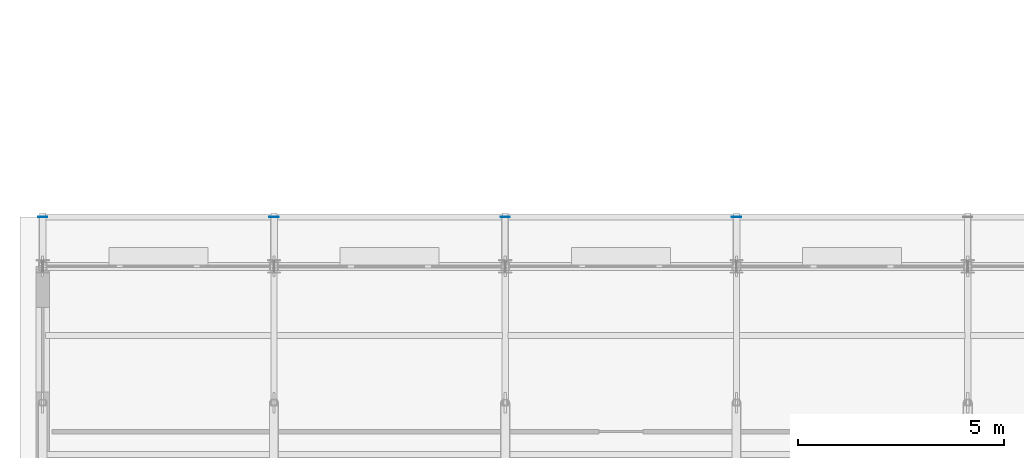
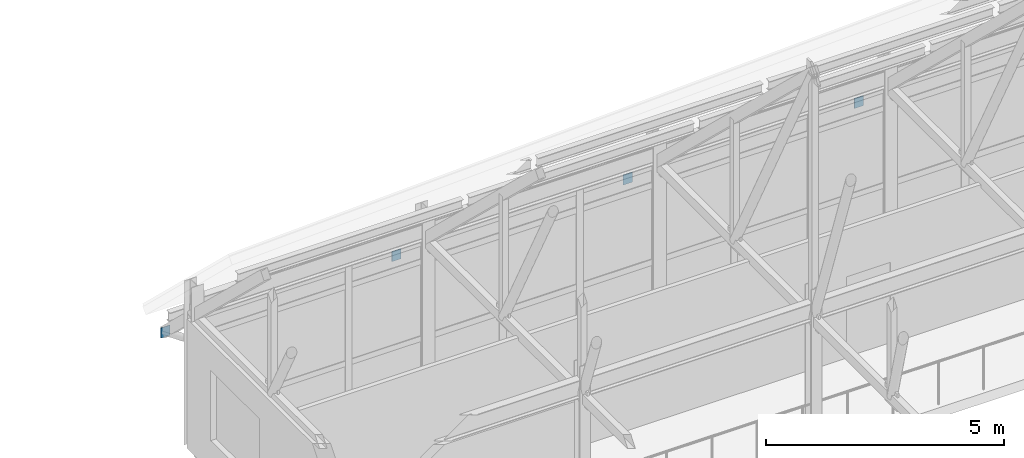
# One storey, part 113 of 144: 4 plates.
"""IFC4 building model written with IfcOpenShell, lengths in metres."""

from ifc_helpers import new_model, si_unit, direction, frame, origin, origin_2d, place, context, subcontext, project, spatial, rectangle, extrude, material, layer, layer_set, type_object, element, save


model = new_model("IFC4")

# Units and contexts
model_context = context("Model", 3, precision=1e-05, world=origin(), true_north=direction((0.0, 1.0)))
body_context = subcontext(model_context, "Body", "Model", "MODEL_VIEW")
ifc_project = project(units=[si_unit("LENGTHUNIT", "METRE"), si_unit("AREAUNIT", "SQUARE_METRE"), si_unit("VOLUMEUNIT", "CUBIC_METRE"), si_unit("PLANEANGLEUNIT", "RADIAN"), si_unit("MASSUNIT", "GRAM", prefix="KILO")], contexts=[model_context])

# Site, building, storey
site_placement = place(None, origin())
site = spatial("IfcSite", under=ifc_project, at=site_placement, CompositionType="ELEMENT")
building_placement = place(site_placement, origin())
building = spatial("IfcBuilding", under=site, at=building_placement, Name="Trelmorton Wharf Fire Station", CompositionType="ELEMENT")
storey_placement = place(building_placement, frame((0.0, 0.0, 5.39990234375)))
storey = spatial("IfcBuildingStorey", under=building, at=storey_placement, Name="L01", CompositionType="ELEMENT", Elevation=5.39990234375)

# Plates
ifc_material = material(Name="Steel Grade 350", Category="steel")
ifc_layer = layer(ifc_material, 0.011962890625)
ifc_layer_set = layer_set([ifc_layer], Name="Steel Grade 350")
plate_type = type_object("IfcPlateType", Name="PL_ENDCAP_12", PredefinedType="SHEET", material=ifc_layer_set)
for number, where, z_axis, x_axis, name in (
    (1, (0.800048828125, 35.39990234375, 2.076171875), (0.0, 0.0, 1.0), (1.0, 0.0, 0.0), "PL-EC-0003"),
    (2, (6.39990234375, 35.39990234375, 2.076171875), (0.0, 0.0, 1.0), (1.0, 0.0, 0.0), "PL-EC-0007"),
    (3, (12.0, 35.39990234375, 2.076171875), (0.0, 0.0, 1.0), (1.0, 0.0, 0.0), "PL-EC-0011"),
    (4, (17.60009765625, 35.39990234375, 2.076171875), (0.0, 0.0, 1.0), (1.0, 0.0, 0.0), "PL-EC-0015"),
):
    element("IfcPlate", number, at=place(storey_placement, frame(where, z_axis=z_axis, x_axis=x_axis)), inside=storey, type_object=plate_type, Name=name, PredefinedType="SHEET", context=body_context, shape_type="SweptSolid", body=[
        extrude(rectangle(XDim=0.219970703125, YDim=0.011962890625, at=origin_2d()), origin(), (0.0, 0.0, 1.0), 0.260009765625),
    ])

save(model, "model.ifc")
